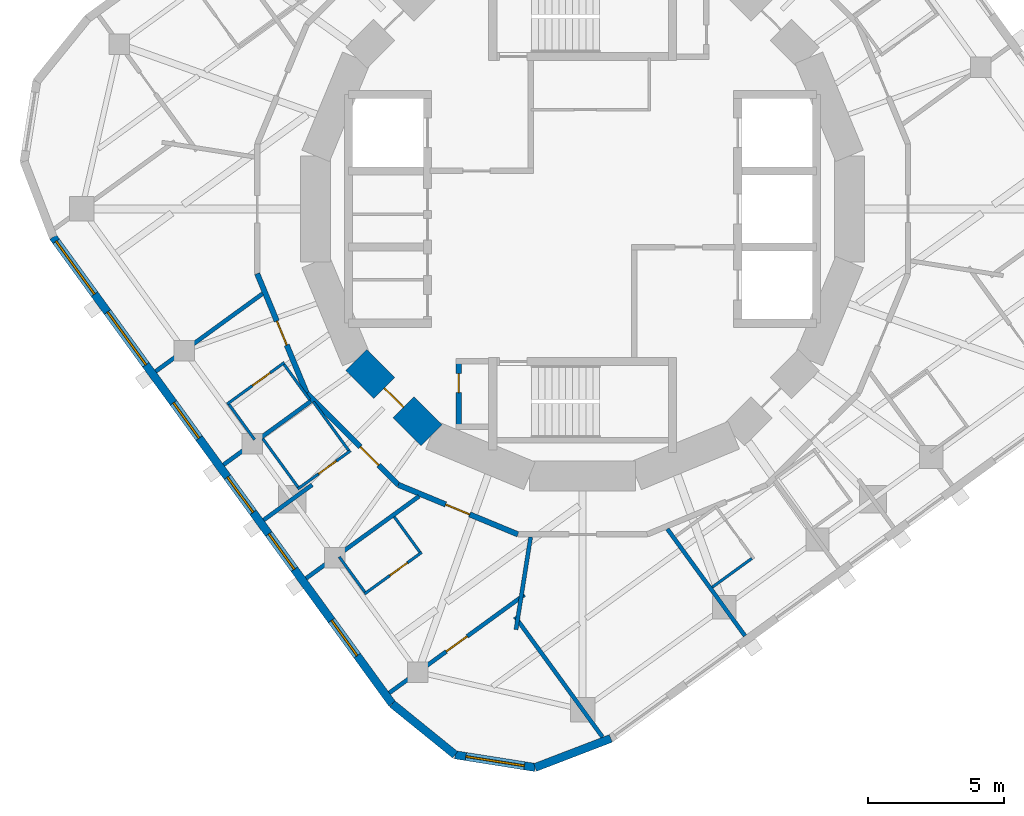
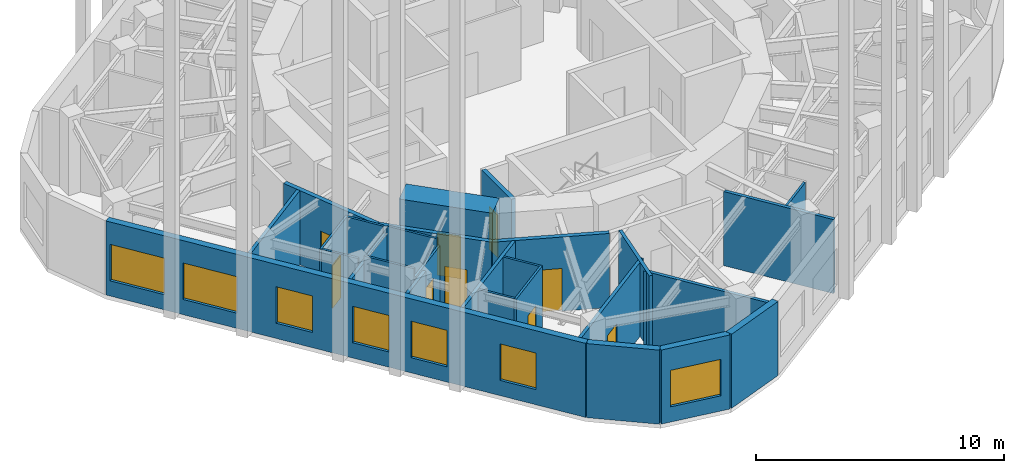
# One storey, part 3 of 9: 27 walls, 9 doors, 7 windows, 16 openings.
"""IFC4 building model written with IfcOpenShell, lengths in metres."""

from ifc_helpers import new_model, si_unit, direction, frame, frame_2d, origin, place, context, subcontext, project, spatial, rectangle, extrude, material, layer, layer_set, type_object, element, fill, save


model = new_model("IFC4")

# Units and contexts
model_context = context("Model", 3, precision=1e-05, world=origin(), true_north=direction((0.0, 1.0)))
body_context = subcontext(model_context, "Body", "Model", "MODEL_VIEW")
ifc_project = project(units=[si_unit("LENGTHUNIT", "METRE"), si_unit("AREAUNIT", "SQUARE_METRE"), si_unit("VOLUMEUNIT", "CUBIC_METRE"), si_unit("PLANEANGLEUNIT", "RADIAN"), si_unit("MASSUNIT", "GRAM", prefix="KILO")], contexts=[model_context])

# Site, building, storey
site_placement = place(None, origin())
site = spatial("IfcSite", under=ifc_project, at=site_placement, CompositionType="ELEMENT")
building_placement = place(site_placement, origin())
building = spatial("IfcBuilding", under=site, at=building_placement, Name="Nakasero Lantern House", CompositionType="ELEMENT")
storey_placement = place(building_placement, frame((0.0, 0.0, 263.75)))
storey = spatial("IfcBuildingStorey", under=building, at=storey_placement, Name="L64", CompositionType="ELEMENT", Elevation=263.75)

# Wall, opening, door
ifc_material_1 = material(Name="Concrete C50/60", Category="concrete")
ifc_layer_1 = layer(ifc_material_1, 1.10009765625)
ifc_layer_set_1 = layer_set([ifc_layer_1], Name="Core wall 1100")
wall_type_1 = type_object("IfcWallType", Name="Core wall 1100", PredefinedType="SHEAR", material=ifc_layer_set_1)
wall_1_placement = place(storey_placement, frame((-8.314697265625, -5.5556640625, 0.0), z_axis=(0.0, 0.0, 1.0), x_axis=(0.707106781187, -0.707106781187, 0.0)))
wall_1 = element("IfcWall", 1, at=wall_1_placement, inside=storey, type_object=wall_type_1, Name="Core wall L64 facet 10", PredefinedType="SHEAR", context=body_context, shape_type="SweptSolid", body=[
    extrude(rectangle(XDim=3.90185546875, YDim=1.10009765625, at=frame_2d((1.950927734375, 0.0))), origin(), (0.0, 0.0, 1.0), 3.85009765625),
])
opening_1_placement = place(wall_1_placement, frame((1.450927734375, 0.0, 0.0)))
opening_1 = element("IfcOpeningElement", 2, at=opening_1_placement, cuts=wall_1, Name="Opening D05", PredefinedType="OPENING", context=body_context, shape_type="SweptSolid", body=[
    extrude(rectangle(XDim=1.0, YDim=2.10009765625, at=frame_2d((0.5, 1.050048828125))), frame((0.0, 0.570068359375, 0.0), z_axis=(0.0, -1.0, 0.0), x_axis=(1.0, 0.0, 0.0)), (0.0, 0.0, 1.0), 1.14013671875),
])
ifc_material_2 = material(Name="Timber C24", Category="wood")
door_type_1 = type_object("IfcDoorType", Name="Core door FD60S 1000", OperationType="SINGLE_SWING_LEFT", PredefinedType="DOOR", material=ifc_material_2)
door_1_placement = place(opening_1_placement, origin())
door_1 = element("IfcDoor", 3, at=door_1_placement, inside=storey, type_object=door_type_1, Name="Door L64 D-CORE10", OperationType="SINGLE_SWING_LEFT", OverallHeight=2.10009765625, OverallWidth=1.0, PredefinedType="DOOR", context=body_context, shape_type="SweptSolid", body=[
    extrude(rectangle(XDim=1.0, YDim=2.10009765625, at=frame_2d((0.5, 1.050048828125))), frame((0.0, 0.02490234375, 0.0), z_axis=(0.0, -1.0, 0.0), x_axis=(1.0, 0.0, 0.0)), (0.0, 0.0, 1.0), 0.050048828125),
])
fill(opening_1, door_1)

ifc_material_3 = material(Name="Blockwork", Category="masonry")
ifc_layer_2 = layer(ifc_material_3, 0.199951171875)
ifc_layer_set_2 = layer_set([ifc_layer_2], Name="Corridor wall 200")
wall_type_2 = type_object("IfcWallType", Name="Corridor wall 200", PredefinedType="PARTITIONING", material=ifc_layer_set_2)
wall_2_placement = place(storey_placement, frame((-2.378662109375, -11.957763671875, 0.0), z_axis=(0.0, 0.0, 1.0), x_axis=(-0.923891735412, 0.382653970627, 0.0)))
wall_2 = element("IfcWall", 4, at=wall_2_placement, inside=storey, type_object=wall_type_2, Name="Corridor wall L64 RC05a", PredefinedType="PARTITIONING", context=body_context, shape_type="SweptSolid", body=[
    extrude(rectangle(XDim=4.757080078125, YDim=0.199951171875, at=frame_2d((2.37841796875, 0.0))), origin(), (0.0, 0.0, 1.0), 3.64990234375),
])
opening_2_placement = place(wall_2_placement, frame((1.919921875, 0.0, 0.0)))
opening_2 = element("IfcOpeningElement", 5, at=opening_2_placement, cuts=wall_2, Name="Opening D01", PredefinedType="OPENING", context=body_context, shape_type="SweptSolid", body=[
    extrude(rectangle(XDim=0.949951171875, YDim=2.10009765625, at=frame_2d((0.47509765625, 1.050048828125))), frame((0.0, 0.119873046875, 0.0), z_axis=(0.0, -1.0, 0.0), x_axis=(1.0, 0.0, 0.0)), (0.0, 0.0, 1.0), 0.239990234375),
])
ifc_material_4 = material(Name="Timber C24", Category="wood")
door_type_2 = type_object("IfcDoorType", Name="Bedroom door FD30S 950", OperationType="SINGLE_SWING_LEFT", PredefinedType="DOOR", material=ifc_material_4)
door_2_placement = place(opening_2_placement, origin())
door_2 = element("IfcDoor", 6, at=door_2_placement, inside=storey, type_object=door_type_2, Name="Door L64 D2-06", OperationType="SINGLE_SWING_RIGHT", OverallHeight=2.10009765625, OverallWidth=0.949951171875, PredefinedType="DOOR", context=body_context, shape_type="SweptSolid", body=[
    extrude(rectangle(XDim=0.949951171875, YDim=2.10009765625, at=frame_2d((0.47509765625, 1.050048828125))), frame((0.0, 0.02490234375, 0.0), z_axis=(0.0, -1.0, 0.0), x_axis=(1.0, 0.0, 0.0)), (0.0, 0.0, 1.0), 0.050048828125),
])
fill(opening_2, door_2)

wall_3_placement = place(storey_placement, frame((-6.773681640625, -10.137451171875, 0.0), z_axis=(0.0, 0.0, 1.0), x_axis=(-0.707106781187, 0.707106781187, 0.0)))
wall_3 = element("IfcWall", 7, at=wall_3_placement, inside=storey, type_object=wall_type_2, Name="Corridor wall L64 RC06a", PredefinedType="PARTITIONING", context=body_context, shape_type="SweptSolid", body=[
    extrude(rectangle(XDim=4.757080078125, YDim=0.199951171875, at=frame_2d((2.37841796875, 0.0))), origin(), (0.0, 0.0, 1.0), 3.64990234375),
])
opening_3_placement = place(wall_3_placement, frame((1.02001953125, 0.0, 0.0)))
opening_3 = element("IfcOpeningElement", 8, at=opening_3_placement, cuts=wall_3, Name="Opening D01", PredefinedType="OPENING", context=body_context, shape_type="SweptSolid", body=[
    extrude(rectangle(XDim=0.949951171875, YDim=2.10009765625, at=frame_2d((0.47509765625, 1.050048828125))), frame((0.0, 0.119873046875, 0.0), z_axis=(0.0, -1.0, 0.0), x_axis=(1.0, 0.0, 0.0)), (0.0, 0.0, 1.0), 0.239990234375),
])
door_3_placement = place(opening_3_placement, origin())
door_3 = element("IfcDoor", 9, at=door_3_placement, inside=storey, type_object=door_type_2, Name="Door L64 D2-04", OperationType="SINGLE_SWING_LEFT", OverallHeight=2.10009765625, OverallWidth=0.949951171875, PredefinedType="DOOR", context=body_context, shape_type="SweptSolid", body=[
    extrude(rectangle(XDim=0.949951171875, YDim=2.10009765625, at=frame_2d((0.47509765625, 1.050048828125))), frame((0.0, 0.02490234375, 0.0), z_axis=(0.0, -1.0, 0.0), x_axis=(1.0, 0.0, 0.0)), (0.0, 0.0, 1.0), 0.050048828125),
])
fill(opening_3, door_3)

wall_4_placement = place(storey_placement, frame((-10.137451171875, -6.773681640625, 0.0), z_axis=(0.0, 0.0, 1.0), x_axis=(-0.382653970627, 0.923891735412, 0.0)))
wall_4 = element("IfcWall", 10, at=wall_4_placement, inside=storey, type_object=wall_type_2, Name="Corridor wall L64 RC07a", PredefinedType="PARTITIONING", context=body_context, shape_type="SweptSolid", body=[
    extrude(rectangle(XDim=4.757080078125, YDim=0.199951171875, at=frame_2d((2.37841796875, 0.0))), origin(), (0.0, 0.0, 1.0), 3.64990234375),
])
opening_4_placement = place(wall_4_placement, frame((1.919921875, 0.0, 0.0)))
opening_4 = element("IfcOpeningElement", 11, at=opening_4_placement, cuts=wall_4, Name="Opening D01", PredefinedType="OPENING", context=body_context, shape_type="SweptSolid", body=[
    extrude(rectangle(XDim=0.949951171875, YDim=2.10009765625, at=frame_2d((0.47509765625, 1.050048828125))), frame((0.0, 0.119873046875, 0.0), z_axis=(0.0, -1.0, 0.0), x_axis=(1.0, 0.0, 0.0)), (0.0, 0.0, 1.0), 0.239990234375),
])
door_4_placement = place(opening_4_placement, origin())
door_4 = element("IfcDoor", 12, at=door_4_placement, inside=storey, type_object=door_type_2, Name="Door L64 D2-03", OperationType="SINGLE_SWING_RIGHT", OverallHeight=2.10009765625, OverallWidth=0.949951171875, PredefinedType="DOOR", context=body_context, shape_type="SweptSolid", body=[
    extrude(rectangle(XDim=0.949951171875, YDim=2.10009765625, at=frame_2d((0.47509765625, 1.050048828125))), frame((0.0, 0.02490234375, 0.0), z_axis=(0.0, -1.0, 0.0), x_axis=(1.0, 0.0, 0.0)), (0.0, 0.0, 1.0), 0.050048828125),
])
fill(opening_4, door_4)

ifc_material_5 = material(Name="Blockwork", Category="masonry")
ifc_layer_3 = layer(ifc_material_5, 0.10009765625)
ifc_layer_set_3 = layer_set([ifc_layer_3], Name="En-suite wall 100")
wall_type_3 = type_object("IfcWallType", Name="En-suite wall 100", PredefinedType="PARTITIONING", material=ifc_layer_set_3)
wall_5_placement = place(storey_placement, frame((-10.960693359375, -5.643798828125, 0.0), z_axis=(0.0, 0.0, 1.0), x_axis=(-0.80902431253, -0.587775179585, 0.0)))
wall_5 = element("IfcWall", 13, at=wall_5_placement, inside=storey, type_object=wall_type_3, Name="En-suite wall L64 ES2-03", PredefinedType="PARTITIONING", context=body_context, shape_type="SweptSolid", body=[
    extrude(rectangle(XDim=2.599853515625, YDim=0.10009765625, at=frame_2d((1.2998046875, 0.0))), origin(), (0.0, 0.0, 1.0), 3.64990234375),
])
opening_5_placement = place(wall_5_placement, frame((0.64990234375, 0.0, 0.0)))
opening_5 = element("IfcOpeningElement", 14, at=opening_5_placement, cuts=wall_5, Name="Opening D02", PredefinedType="OPENING", context=body_context, shape_type="SweptSolid", body=[
    extrude(rectangle(XDim=0.800048828125, YDim=2.10009765625, at=frame_2d((0.39990234375, 1.050048828125))), frame((0.0, 0.070068359375, 0.0), z_axis=(0.0, -1.0, 0.0), x_axis=(1.0, 0.0, 0.0)), (0.0, 0.0, 1.0), 0.14013671875),
])
ifc_material_6 = material(Name="Timber C24", Category="wood")
door_type_3 = type_object("IfcDoorType", Name="En-suite door 800", OperationType="SINGLE_SWING_RIGHT", PredefinedType="DOOR", material=ifc_material_6)
door_5_placement = place(opening_5_placement, origin())
door_5 = element("IfcDoor", 15, at=door_5_placement, inside=storey, type_object=door_type_3, Name="Door L64 DE2-03", OperationType="SINGLE_SWING_LEFT", OverallHeight=2.10009765625, OverallWidth=0.800048828125, PredefinedType="DOOR", context=body_context, shape_type="SweptSolid", body=[
    extrude(rectangle(XDim=0.800048828125, YDim=2.10009765625, at=frame_2d((0.39990234375, 1.050048828125))), frame((0.0, 0.02490234375, 0.0), z_axis=(0.0, -1.0, 0.0), x_axis=(1.0, 0.0, 0.0)), (0.0, 0.0, 1.0), 0.050048828125),
])
fill(opening_5, door_5)

# Walls
for number, where, z_axis, x_axis, name in (
    (16, (-12.994140625, -7.18310546875, 0.0), (0.0, 0.0, 1.0), (0.587772420479, -0.809026317077, 0.0), "En-suite wall L64 EE2-03"),
    (17, (-10.9716796875, -5.713623046875, 0.0), (0.0, 0.0, 1.0), (0.587772420479, -0.809026317077, 0.0), "En-suite wall L64 EI2-03"),
):
    element("IfcWall", number, at=place(storey_placement, frame(where, z_axis=z_axis, x_axis=x_axis)), inside=storey, type_object=wall_type_3, Name=name, PredefinedType="PARTITIONING", context=body_context, shape_type="SweptSolid", body=[
        extrude(rectangle(XDim=1.60009765625, YDim=0.10009765625, at=frame_2d((0.800048828125, 0.0))), origin(), (0.0, 0.0, 1.0), 3.64990234375),
    ])

# Wall, opening, door
wall_6_placement = place(storey_placement, frame((-8.528076171875, -8.88232421875, 0.0), z_axis=(0.0, 0.0, 1.0), x_axis=(-0.808977944175, -0.587838996528, 0.0)))
wall_6 = element("IfcWall", 18, at=wall_6_placement, inside=storey, type_object=wall_type_3, Name="En-suite wall L64 ES2-04", PredefinedType="PARTITIONING", context=body_context, shape_type="SweptSolid", body=[
    extrude(rectangle(XDim=2.400146484375, YDim=0.10009765625, at=frame_2d((1.2001953125, 0.0))), origin(), (0.0, 0.0, 1.0), 3.294921875),
])
opening_6_placement = place(wall_6_placement, frame((0.64990234375, 0.0, 0.0)))
opening_6 = element("IfcOpeningElement", 19, at=opening_6_placement, cuts=wall_6, Name="Opening D02", PredefinedType="OPENING", context=body_context, shape_type="SweptSolid", body=[
    extrude(rectangle(XDim=0.800048828125, YDim=2.10009765625, at=frame_2d((0.39990234375, 1.050048828125))), frame((0.0, 0.070068359375, 0.0), z_axis=(0.0, -1.0, 0.0), x_axis=(1.0, 0.0, 0.0)), (0.0, 0.0, 1.0), 0.14013671875),
])
door_6_placement = place(opening_6_placement, origin())
door_6 = element("IfcDoor", 20, at=door_6_placement, inside=storey, type_object=door_type_3, Name="Door L64 DE2-04", OperationType="SINGLE_SWING_LEFT", OverallHeight=2.10009765625, OverallWidth=0.800048828125, PredefinedType="DOOR", context=body_context, shape_type="SweptSolid", body=[
    extrude(rectangle(XDim=0.800048828125, YDim=2.10009765625, at=frame_2d((0.39990234375, 1.050048828125))), frame((0.0, 0.02490234375, 0.0), z_axis=(0.0, -1.0, 0.0), x_axis=(1.0, 0.0, 0.0)), (0.0, 0.0, 1.0), 0.050048828125),
])
fill(opening_6, door_6)

# Walls
wall_7_placement = place(storey_placement, frame((-11.751708984375, -8.443359375, 0.0), z_axis=(0.0, 0.0, 1.0), x_axis=(0.587769160311, -0.809028685639, 0.0)))
element("IfcWall", 21, at=wall_7_placement, inside=storey, type_object=wall_type_3, Name="En-suite wall L64 EE2-04", PredefinedType="PARTITIONING", context=body_context, shape_type="SweptSolid", body=[
    extrude(rectangle(XDim=2.2001953125, YDim=0.10009765625, at=frame_2d((1.10009765625, 0.0))), origin(), (0.0, 0.0, 1.0), 3.64990234375),
])
wall_8_placement = place(storey_placement, frame((-9.89111328125, -7.091552734375, 0.0), z_axis=(0.0, 0.0, 1.0), x_axis=(0.587821928992, -0.808990345923, 0.0)))
element("IfcWall", 22, at=wall_8_placement, inside=storey, type_object=wall_type_3, Name="En-suite wall L64 EI2-04", PredefinedType="PARTITIONING", context=body_context, shape_type="SweptSolid", body=[
    extrude(rectangle(XDim=2.199951171875, YDim=0.10009765625, at=frame_2d((1.10009765625, 0.0))), origin(), (0.0, 0.0, 1.0), 3.64990234375),
])

# Wall, opening, door
wall_9_placement = place(storey_placement, frame((-5.91162109375, -12.619384765625, 0.0), z_axis=(0.0, 0.0, 1.0), x_axis=(-0.809056752413, -0.587730526155, 0.0)))
wall_9 = element("IfcWall", 23, at=wall_9_placement, inside=storey, type_object=wall_type_3, Name="En-suite wall L64 ES2-06", PredefinedType="PARTITIONING", context=body_context, shape_type="SweptSolid", body=[
    extrude(rectangle(XDim=2.599853515625, YDim=0.10009765625, at=frame_2d((1.2998046875, 0.0))), origin(), (0.0, 0.0, 1.0), 3.64990234375),
])
opening_7_placement = place(wall_9_placement, frame((0.64990234375, 0.0, 0.0)))
opening_7 = element("IfcOpeningElement", 24, at=opening_7_placement, cuts=wall_9, Name="Opening D02", PredefinedType="OPENING", context=body_context, shape_type="SweptSolid", body=[
    extrude(rectangle(XDim=0.800048828125, YDim=2.10009765625, at=frame_2d((0.39990234375, 1.050048828125))), frame((0.0, 0.070068359375, 0.0), z_axis=(0.0, -1.0, 0.0), x_axis=(1.0, 0.0, 0.0)), (0.0, 0.0, 1.0), 0.14013671875),
])
door_7_placement = place(opening_7_placement, origin())
door_7 = element("IfcDoor", 25, at=door_7_placement, inside=storey, type_object=door_type_3, Name="Door L64 DE2-06", OperationType="SINGLE_SWING_LEFT", OverallHeight=2.10009765625, OverallWidth=0.800048828125, PredefinedType="DOOR", context=body_context, shape_type="SweptSolid", body=[
    extrude(rectangle(XDim=0.800048828125, YDim=2.10009765625, at=frame_2d((0.39990234375, 1.050048828125))), frame((0.0, 0.02490234375, 0.0), z_axis=(0.0, -1.0, 0.0), x_axis=(1.0, 0.0, 0.0)), (0.0, 0.0, 1.0), 0.050048828125),
])
fill(opening_7, door_7)

# Walls
for number, where, z_axis, x_axis, name in (
    (26, (-8.9443359375, -12.783203125, 0.0), (0.0, 0.0, 1.0), (0.587772420479, -0.809026317077, 0.0), "En-suite wall L64 EE2-06"),
    (27, (-6.921875, -11.313720703125, 0.0), (0.0, 0.0, 1.0), (0.587772420479, -0.809026317077, 0.0), "En-suite wall L64 EI2-06"),
):
    element("IfcWall", number, at=place(storey_placement, frame(where, z_axis=z_axis, x_axis=x_axis)), inside=storey, type_object=wall_type_3, Name=name, PredefinedType="PARTITIONING", context=body_context, shape_type="SweptSolid", body=[
        extrude(rectangle(XDim=1.60009765625, YDim=0.10009765625, at=frame_2d((0.800048828125, 0.0))), origin(), (0.0, 0.0, 1.0), 3.64990234375),
    ])
wall_10_placement = place(storey_placement, frame((4.7626953125, -13.9013671875, 0.0), z_axis=(0.0, 0.0, 1.0), x_axis=(0.809070278701, 0.587711905718, 0.0)))
element("IfcWall", 28, at=wall_10_placement, inside=storey, type_object=wall_type_3, Name="En-suite wall L64 EE3-03", PredefinedType="PARTITIONING", context=body_context, shape_type="SweptSolid", body=[
    extrude(rectangle(XDim=1.800048828125, YDim=0.10009765625, at=frame_2d((0.89990234375, 0.0))), origin(), (0.0, 0.0, 1.0), 3.64990234375),
])

# Wall, openings, windows
ifc_material_7 = material(Name="Aluminium rainscreen on blockwork", Category="masonry")
ifc_layer_4 = layer(ifc_material_7, 0.300048828125)
ifc_layer_set_4 = layer_set([ifc_layer_4], Name="Facade wall 300")
wall_type_4 = type_object("IfcWallType", Name="Facade wall 300", PredefinedType="SOLIDWALL", material=ifc_layer_set_4)
wall_11_placement = place(storey_placement, frame((-19.4580078125, -1.03466796875, 0.0), z_axis=(0.0, 0.0, 1.0), x_axis=(0.587790233451, -0.809013375328, 0.0)))
wall_11 = element("IfcWall", 29, at=wall_11_placement, inside=storey, type_object=wall_type_4, Name="Facade wall L64 FW2S", PredefinedType="SOLIDWALL", context=body_context, shape_type="SweptSolid", body=[
    extrude(rectangle(XDim=21.199951171875, YDim=0.300048828125, at=frame_2d((10.60009765625, 0.0))), origin(), (0.0, 0.0, 1.0), 3.64990234375),
])
opening_8_placement = place(wall_11_placement, frame((7.52783203125, 0.0, 0.75)))
opening_8 = element("IfcOpeningElement", 30, at=opening_8_placement, cuts=wall_11, Name="Opening W01", PredefinedType="OPENING", context=body_context, shape_type="SweptSolid", body=[
    extrude(rectangle(XDim=1.60009765625, YDim=1.800048828125, at=frame_2d((0.800048828125, 0.89990234375))), frame((0.0, 0.169921875, 0.0), z_axis=(0.0, -1.0, 0.0), x_axis=(1.0, 0.0, 0.0)), (0.0, 0.0, 1.0), 0.340087890625),
])
opening_9_placement = place(wall_11_placement, frame((10.904052734375, 0.0, 0.75)))
opening_9 = element("IfcOpeningElement", 31, at=opening_9_placement, cuts=wall_11, Name="Opening W01", PredefinedType="OPENING", context=body_context, shape_type="SweptSolid", body=[
    extrude(rectangle(XDim=1.60009765625, YDim=1.800048828125, at=frame_2d((0.800048828125, 0.89990234375))), frame((0.0, 0.169921875, 0.0), z_axis=(0.0, -1.0, 0.0), x_axis=(1.0, 0.0, 0.0)), (0.0, 0.0, 1.0), 0.340087890625),
])
opening_10_placement = place(wall_11_placement, frame((13.484619140625, 0.0, 0.75)))
opening_10 = element("IfcOpeningElement", 32, at=opening_10_placement, cuts=wall_11, Name="Opening W01", PredefinedType="OPENING", context=body_context, shape_type="SweptSolid", body=[
    extrude(rectangle(XDim=1.60009765625, YDim=1.800048828125, at=frame_2d((0.800048828125, 0.89990234375))), frame((0.0, 0.169921875, 0.0), z_axis=(0.0, -1.0, 0.0), x_axis=(1.0, 0.0, 0.0)), (0.0, 0.0, 1.0), 0.340087890625),
])
opening_11_placement = place(wall_11_placement, frame((17.410888671875, 0.0, 0.75)))
opening_11 = element("IfcOpeningElement", 33, at=opening_11_placement, cuts=wall_11, Name="Opening W01", PredefinedType="OPENING", context=body_context, shape_type="SweptSolid", body=[
    extrude(rectangle(XDim=1.60009765625, YDim=1.800048828125, at=frame_2d((0.800048828125, 0.89990234375))), frame((0.0, 0.169921875, 0.0), z_axis=(0.0, -1.0, 0.0), x_axis=(1.0, 0.0, 0.0)), (0.0, 0.0, 1.0), 0.340087890625),
])
opening_12_placement = place(wall_11_placement, frame((0.1904296875, 0.0, 0.75)))
opening_12 = element("IfcOpeningElement", 34, at=opening_12_placement, cuts=wall_11, Name="Opening W03", PredefinedType="OPENING", context=body_context, shape_type="SweptSolid", body=[
    extrude(rectangle(XDim=2.39990234375, YDim=1.800048828125, at=frame_2d((1.199951171875, 0.89990234375))), frame((0.0, 0.169921875, 0.0), z_axis=(0.0, -1.0, 0.0), x_axis=(1.0, 0.0, 0.0)), (0.0, 0.0, 1.0), 0.340087890625),
])
opening_13_placement = place(wall_11_placement, frame((3.401611328125, 0.0, 0.75)))
opening_13 = element("IfcOpeningElement", 35, at=opening_13_placement, cuts=wall_11, Name="Opening W03", PredefinedType="OPENING", context=body_context, shape_type="SweptSolid", body=[
    extrude(rectangle(XDim=2.39990234375, YDim=1.800048828125, at=frame_2d((1.199951171875, 0.89990234375))), frame((0.0, 0.169921875, 0.0), z_axis=(0.0, -1.0, 0.0), x_axis=(1.0, 0.0, 0.0)), (0.0, 0.0, 1.0), 0.340087890625),
])
ifc_material_8 = material(Name="Aluminium 6063-T6 and glass", Category="aluminium")
window_type_1 = type_object("IfcWindowType", Name="Bedroom window 1600x1800", PartitioningType="SINGLE_PANEL", PredefinedType="WINDOW", material=ifc_material_8)
window_1_placement = place(opening_8_placement, origin())
window_1 = element("IfcWindow", 36, at=window_1_placement, inside=storey, type_object=window_type_1, Name="Window L64 WN2-03", OverallHeight=1.800048828125, OverallWidth=1.60009765625, PartitioningType="SINGLE_PANEL", PredefinedType="WINDOW", context=body_context, shape_type="SweptSolid", body=[
    extrude(rectangle(XDim=1.60009765625, YDim=1.800048828125, at=frame_2d((0.800048828125, 0.89990234375))), frame((0.0, 0.030029296875, 0.0), z_axis=(0.0, -1.0, 0.0), x_axis=(1.0, 0.0, 0.0)), (0.0, 0.0, 1.0), 0.06005859375),
])
fill(opening_8, window_1)
window_2_placement = place(opening_9_placement, origin())
window_2 = element("IfcWindow", 37, at=window_2_placement, inside=storey, type_object=window_type_1, Name="Window L64 WN2-04", OverallHeight=1.800048828125, OverallWidth=1.60009765625, PartitioningType="SINGLE_PANEL", PredefinedType="WINDOW", context=body_context, shape_type="SweptSolid", body=[
    extrude(rectangle(XDim=1.60009765625, YDim=1.800048828125, at=frame_2d((0.800048828125, 0.89990234375))), frame((0.0, 0.030029296875, 0.0), z_axis=(0.0, -1.0, 0.0), x_axis=(1.0, 0.0, 0.0)), (0.0, 0.0, 1.0), 0.06005859375),
])
fill(opening_9, window_2)
window_3_placement = place(opening_10_placement, origin())
window_3 = element("IfcWindow", 38, at=window_3_placement, inside=storey, type_object=window_type_1, Name="Window L64 WN2-05", OverallHeight=1.800048828125, OverallWidth=1.60009765625, PartitioningType="SINGLE_PANEL", PredefinedType="WINDOW", context=body_context, shape_type="SweptSolid", body=[
    extrude(rectangle(XDim=1.60009765625, YDim=1.800048828125, at=frame_2d((0.800048828125, 0.89990234375))), frame((0.0, 0.030029296875, 0.0), z_axis=(0.0, -1.0, 0.0), x_axis=(1.0, 0.0, 0.0)), (0.0, 0.0, 1.0), 0.06005859375),
])
fill(opening_10, window_3)
window_4_placement = place(opening_11_placement, origin())
window_4 = element("IfcWindow", 39, at=window_4_placement, inside=storey, type_object=window_type_1, Name="Window L64 WN2-06", OverallHeight=1.800048828125, OverallWidth=1.60009765625, PartitioningType="SINGLE_PANEL", PredefinedType="WINDOW", context=body_context, shape_type="SweptSolid", body=[
    extrude(rectangle(XDim=1.60009765625, YDim=1.800048828125, at=frame_2d((0.800048828125, 0.89990234375))), frame((0.0, 0.030029296875, 0.0), z_axis=(0.0, -1.0, 0.0), x_axis=(1.0, 0.0, 0.0)), (0.0, 0.0, 1.0), 0.06005859375),
])
fill(opening_11, window_4)
ifc_material_9 = material(Name="Aluminium 6063-T6 and glass", Category="aluminium")
window_type_2 = type_object("IfcWindowType", Name="Lounge window 2400x1800", PartitioningType="SINGLE_PANEL", PredefinedType="WINDOW", material=ifc_material_9)
window_5_placement = place(opening_12_placement, origin())
window_5 = element("IfcWindow", 40, at=window_5_placement, inside=storey, type_object=window_type_2, Name="Window L64 WK2", OverallHeight=1.800048828125, OverallWidth=2.39990234375, PartitioningType="SINGLE_PANEL", PredefinedType="WINDOW", context=body_context, shape_type="SweptSolid", body=[
    extrude(rectangle(XDim=2.39990234375, YDim=1.800048828125, at=frame_2d((1.199951171875, 0.89990234375))), frame((0.0, 0.030029296875, 0.0), z_axis=(0.0, -1.0, 0.0), x_axis=(1.0, 0.0, 0.0)), (0.0, 0.0, 1.0), 0.06005859375),
])
fill(opening_12, window_5)
window_6_placement = place(opening_13_placement, origin())
window_6 = element("IfcWindow", 41, at=window_6_placement, inside=storey, type_object=window_type_2, Name="Window L64 WL2", OverallHeight=1.800048828125, OverallWidth=2.39990234375, PartitioningType="SINGLE_PANEL", PredefinedType="WINDOW", context=body_context, shape_type="SweptSolid", body=[
    extrude(rectangle(XDim=2.39990234375, YDim=1.800048828125, at=frame_2d((1.199951171875, 0.89990234375))), frame((0.0, 0.030029296875, 0.0), z_axis=(0.0, -1.0, 0.0), x_axis=(1.0, 0.0, 0.0)), (0.0, 0.0, 1.0), 0.06005859375),
])
fill(opening_13, window_6)

# Wall
wall_12_placement = place(storey_placement, frame((-6.996826171875, -18.185791015625, 0.0), z_axis=(0.0, 0.0, 1.0), x_axis=(0.777101588319, -0.629375183362, 0.0)))
element("IfcWall", 42, at=wall_12_placement, inside=storey, type_object=wall_type_4, Name="Facade wall L64 FW2C1", PredefinedType="SOLIDWALL", context=body_context, shape_type="SweptSolid", body=[
    extrude(rectangle(XDim=2.976318359375, YDim=0.300048828125, at=frame_2d((1.48828125, 0.0))), origin(), (0.0, 0.0, 1.0), 3.64990234375),
])

# Wall, opening, window
wall_13_placement = place(storey_placement, frame((-4.683837890625, -20.05908203125, 0.0), z_axis=(0.0, 0.0, 1.0), x_axis=(0.987691704133, -0.156413227021, 0.0)))
wall_13 = element("IfcWall", 43, at=wall_13_placement, inside=storey, type_object=wall_type_4, Name="Facade wall L64 FW2C2", PredefinedType="SOLIDWALL", context=body_context, shape_type="SweptSolid", body=[
    extrude(rectangle(XDim=2.9765625, YDim=0.300048828125, at=frame_2d((1.48828125, 0.0))), origin(), (0.0, 0.0, 1.0), 3.64990234375),
])
opening_14_placement = place(wall_13_placement, frame((0.39990234375, 0.0, 0.75)))
opening_14 = element("IfcOpeningElement", 44, at=opening_14_placement, cuts=wall_13, Name="Opening W221", PredefinedType="OPENING", context=body_context, shape_type="SweptSolid", body=[
    extrude(rectangle(XDim=2.176025390625, YDim=1.800048828125, at=frame_2d((1.087890625, 0.89990234375))), frame((0.0, 0.169921875, 0.0), z_axis=(0.0, -1.0, 0.0), x_axis=(1.0, 0.0, 0.0)), (0.0, 0.0, 1.0), 0.340087890625),
])
ifc_material_10 = material(Name="Aluminium 6063-T6 and glass", Category="aluminium")
window_type_3 = type_object("IfcWindowType", Name="Corner window 2176x1800", PartitioningType="SINGLE_PANEL", PredefinedType="WINDOW", material=ifc_material_10)
window_7_placement = place(opening_14_placement, origin())
window_7 = element("IfcWindow", 45, at=window_7_placement, inside=storey, type_object=window_type_3, Name="Window L64 WC2", OverallHeight=1.800048828125, OverallWidth=2.176025390625, PartitioningType="SINGLE_PANEL", PredefinedType="WINDOW", context=body_context, shape_type="SweptSolid", body=[
    extrude(rectangle(XDim=2.176025390625, YDim=1.800048828125, at=frame_2d((1.087890625, 0.89990234375))), frame((0.0, 0.030029296875, 0.0), z_axis=(0.0, -1.0, 0.0), x_axis=(1.0, 0.0, 0.0)), (0.0, 0.0, 1.0), 0.06005859375),
])
fill(opening_14, window_7)

# Wall
wall_14_placement = place(storey_placement, frame((-1.743896484375, -20.524658203125, 0.0), z_axis=(0.0, 0.0, 1.0), x_axis=(0.933573745966, 0.35838535244, 0.0)))
element("IfcWall", 46, at=wall_14_placement, inside=storey, type_object=wall_type_4, Name="Facade wall L64 FW2C3", PredefinedType="SOLIDWALL", context=body_context, shape_type="SweptSolid", body=[
    extrude(rectangle(XDim=2.976318359375, YDim=0.300048828125, at=frame_2d((1.48828125, 0.0))), origin(), (0.0, 0.0, 1.0), 3.64990234375),
])

# Wall, opening, door
ifc_material_11 = material(Name="Blockwork", Category="masonry")
ifc_layer_5 = layer(ifc_material_11, 0.199951171875)
ifc_layer_set_5 = layer_set([ifc_layer_5], Name="Fire lobby wall 200")
wall_type_5 = type_object("IfcWallType", Name="Fire lobby wall 200", PredefinedType="PARTITIONING", material=ifc_layer_set_5)
wall_15_placement = place(storey_placement, frame((-4.550048828125, -5.60009765625, 0.0), z_axis=(0.0, 0.0, 1.0), x_axis=(0.0, -1.0, 0.0)))
wall_15 = element("IfcWall", 47, at=wall_15_placement, inside=storey, type_object=wall_type_5, Name="Fire lobby wall L64 W-RS2W", PredefinedType="PARTITIONING", context=body_context, shape_type="SweptSolid", body=[
    extrude(rectangle(XDim=2.39990234375, YDim=0.199951171875, at=frame_2d((1.199951171875, 0.0))), origin(), (0.0, 0.0, 1.0), 3.64990234375),
])
opening_15_placement = place(wall_15_placement, frame((0.449951171875, 0.0, 0.0)))
opening_15 = element("IfcOpeningElement", 48, at=opening_15_placement, cuts=wall_15, Name="Opening D06", PredefinedType="OPENING", context=body_context, shape_type="SweptSolid", body=[
    extrude(rectangle(XDim=0.699951171875, YDim=2.10009765625, at=frame_2d((0.35009765625, 1.050048828125))), frame((0.0, 0.119873046875, 0.0), z_axis=(0.0, -1.0, 0.0), x_axis=(1.0, 0.0, 0.0)), (0.0, 0.0, 1.0), 0.239990234375),
])
ifc_material_12 = material(Name="Steel S355", Category="steel")
door_type_4 = type_object("IfcDoorType", Name="Riser door FD60 700", OperationType="SINGLE_SWING_LEFT", PredefinedType="DOOR", material=ifc_material_12)
door_8_placement = place(opening_15_placement, origin())
door_8 = element("IfcDoor", 49, at=door_8_placement, inside=storey, type_object=door_type_4, Name="Door L64 D-RS2", OperationType="SINGLE_SWING_LEFT", OverallHeight=2.10009765625, OverallWidth=0.699951171875, PredefinedType="DOOR", context=body_context, shape_type="SweptSolid", body=[
    extrude(rectangle(XDim=0.699951171875, YDim=2.10009765625, at=frame_2d((0.35009765625, 1.050048828125))), frame((0.0, 0.02490234375, 0.0), z_axis=(0.0, -1.0, 0.0), x_axis=(1.0, 0.0, 0.0)), (0.0, 0.0, 1.0), 0.050048828125),
])
fill(opening_15, door_8)

# Walls
ifc_material_13 = material(Name="Blockwork", Category="masonry")
ifc_layer_6 = layer(ifc_material_13, 0.14990234375)
ifc_layer_set_6 = layer_set([ifc_layer_6], Name="Party wall 150")
wall_type_6 = type_object("IfcWallType", Name="Party wall 150", PredefinedType="PARTITIONING", material=ifc_layer_set_6)
wall_16_placement = place(storey_placement, frame((-9.939208984375, -10.13818359375, 0.0), z_axis=(0.0, 0.0, 1.0), x_axis=(-0.808990345923, -0.587821928992, 0.0)))
element("IfcWall", 50, at=wall_16_placement, inside=storey, type_object=wall_type_6, Name="Party wall L64 PN2-05", PredefinedType="PARTITIONING", context=body_context, shape_type="SweptSolid", body=[
    extrude(rectangle(XDim=2.199951171875, YDim=0.14990234375, at=frame_2d((1.10009765625, 0.0))), origin(), (0.0, 0.0, 1.0), 3.294921875),
])
wall_17_placement = place(storey_placement, frame((-11.760986328125, -3.114990234375, 0.0), z_axis=(0.0, 0.0, 1.0), x_axis=(-0.809020895183, -0.587779883253, 0.0)))
element("IfcWall", 51, at=wall_17_placement, inside=storey, type_object=wall_type_6, Name="Party wall L64 PW2-03", PredefinedType="PARTITIONING", context=body_context, shape_type="SweptSolid", body=[
    extrude(rectangle(XDim=4.854248046875, YDim=0.14990234375, at=frame_2d((2.42724609375, 0.0))), origin(), (0.0, 0.0, 1.0), 3.64990234375),
])
wall_18_placement = place(storey_placement, frame((-9.985107421875, -7.067138671875, 0.0), z_axis=(0.0, 0.0, 1.0), x_axis=(-0.809004739075, -0.587802119896, 0.0)))
element("IfcWall", 52, at=wall_18_placement, inside=storey, type_object=wall_type_6, Name="Party wall L64 PW2-04", PredefinedType="PARTITIONING", context=body_context, shape_type="SweptSolid", body=[
    extrude(rectangle(XDim=3.9677734375, YDim=0.14990234375, at=frame_2d((1.98388671875, 0.0))), origin(), (0.0, 0.0, 1.0), 3.294921875),
])
wall_19_placement = place(storey_placement, frame((-6.012939453125, -10.560791015625, 0.0), z_axis=(0.0, 0.0, 1.0), x_axis=(-0.809020100005, -0.587780977736, 0.0)))
element("IfcWall", 53, at=wall_19_placement, inside=storey, type_object=wall_type_6, Name="Party wall L64 PW2-06", PredefinedType="PARTITIONING", context=body_context, shape_type="SweptSolid", body=[
    extrude(rectangle(XDim=5.1279296875, YDim=0.14990234375, at=frame_2d((2.56396484375, 0.0))), origin(), (0.0, 0.0, 1.0), 3.64990234375),
])

# Wall, opening, door
wall_20_placement = place(storey_placement, frame((-2.137939453125, -14.1767578125, 0.0), z_axis=(0.0, 0.0, 1.0), x_axis=(-0.809024975628, -0.587774266883, 0.0)))
wall_20 = element("IfcWall", 54, at=wall_20_placement, inside=storey, type_object=wall_type_6, Name="Party wall L64 PW2-07", PredefinedType="PARTITIONING", context=body_context, shape_type="SweptSolid", body=[
    extrude(rectangle(XDim=6.137451171875, YDim=0.14990234375, at=frame_2d((3.06884765625, 0.0))), origin(), (0.0, 0.0, 1.0), 3.64990234375),
])
opening_16_placement = place(wall_20_placement, frame((2.60009765625, 0.0, 0.0)))
opening_16 = element("IfcOpeningElement", 55, at=opening_16_placement, cuts=wall_20, Name="Opening D01", PredefinedType="OPENING", context=body_context, shape_type="SweptSolid", body=[
    extrude(rectangle(XDim=0.949951171875, YDim=2.10009765625, at=frame_2d((0.47509765625, 1.050048828125))), frame((0.0, 0.094970703125, 0.0), z_axis=(0.0, -1.0, 0.0), x_axis=(1.0, 0.0, 0.0)), (0.0, 0.0, 1.0), 0.18994140625),
])
door_9_placement = place(opening_16_placement, origin())
door_9 = element("IfcDoor", 56, at=door_9_placement, inside=storey, type_object=door_type_2, Name="Door L64 DC2", OperationType="SINGLE_SWING_RIGHT", OverallHeight=2.10009765625, OverallWidth=0.949951171875, PredefinedType="DOOR", context=body_context, shape_type="SweptSolid", body=[
    extrude(rectangle(XDim=0.949951171875, YDim=2.10009765625, at=frame_2d((0.47509765625, 1.050048828125))), frame((0.0, 0.02490234375, 0.0), z_axis=(0.0, -1.0, 0.0), x_axis=(1.0, 0.0, 0.0)), (0.0, 0.0, 1.0), 0.050048828125),
])
fill(opening_16, door_9)

# Walls
wall_21_placement = place(storey_placement, frame((-1.90966796875, -12.057861328125, 0.0), z_axis=(0.0, 0.0, 1.0), x_axis=(-0.156465405864, -0.987683439553, 0.0)))
element("IfcWall", 57, at=wall_21_placement, inside=storey, type_object=wall_type_6, Name="Party wall L64 PD2", PredefinedType="PARTITIONING", context=body_context, shape_type="SweptSolid", body=[
    extrude(rectangle(XDim=3.440673828125, YDim=0.14990234375, at=frame_2d((1.72021484375, 0.0))), origin(), (0.0, 0.0, 1.0), 3.64990234375),
])
wall_22_placement = place(storey_placement, frame((-2.48095703125, -14.9853515625, 0.0), z_axis=(0.0, 0.0, 1.0), x_axis=(0.587775959987, -0.809023745549, 0.0)))
element("IfcWall", 58, at=wall_22_placement, inside=storey, type_object=wall_type_6, Name="Party wall L64 PW3-01", PredefinedType="PARTITIONING", context=body_context, shape_type="SweptSolid", body=[
    extrude(rectangle(XDim=5.466552734375, YDim=0.14990234375, at=frame_2d((2.7333984375, 0.0))), origin(), (0.0, 0.0, 1.0), 3.64990234375),
])
wall_23_placement = place(storey_placement, frame((3.114990234375, -11.760986328125, 0.0), z_axis=(0.0, 0.0, 1.0), x_axis=(0.587779883253, -0.809020895183, 0.0)))
element("IfcWall", 59, at=wall_23_placement, inside=storey, type_object=wall_type_6, Name="Party wall L64 PW3-03", PredefinedType="PARTITIONING", context=body_context, shape_type="SweptSolid", body=[
    extrude(rectangle(XDim=4.854248046875, YDim=0.14990234375, at=frame_2d((2.42724609375, 0.0))), origin(), (0.0, 0.0, 1.0), 3.64990234375),
])

save(model, "model.ifc")
